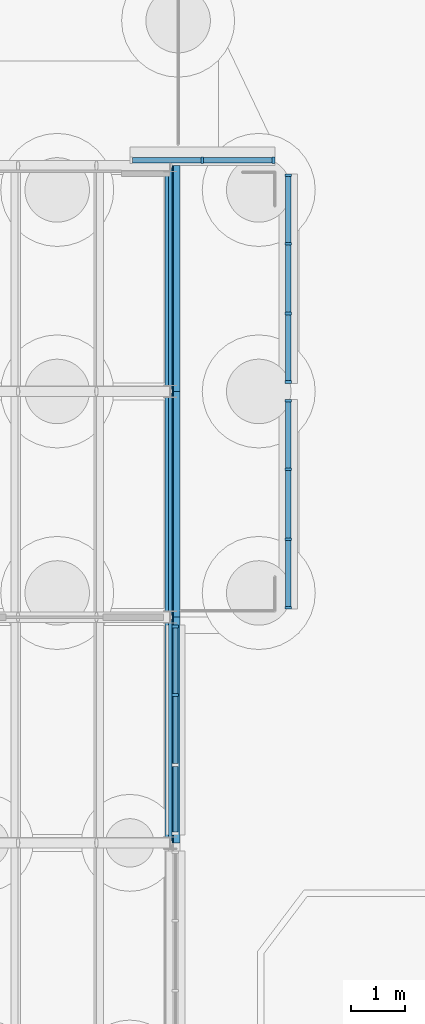
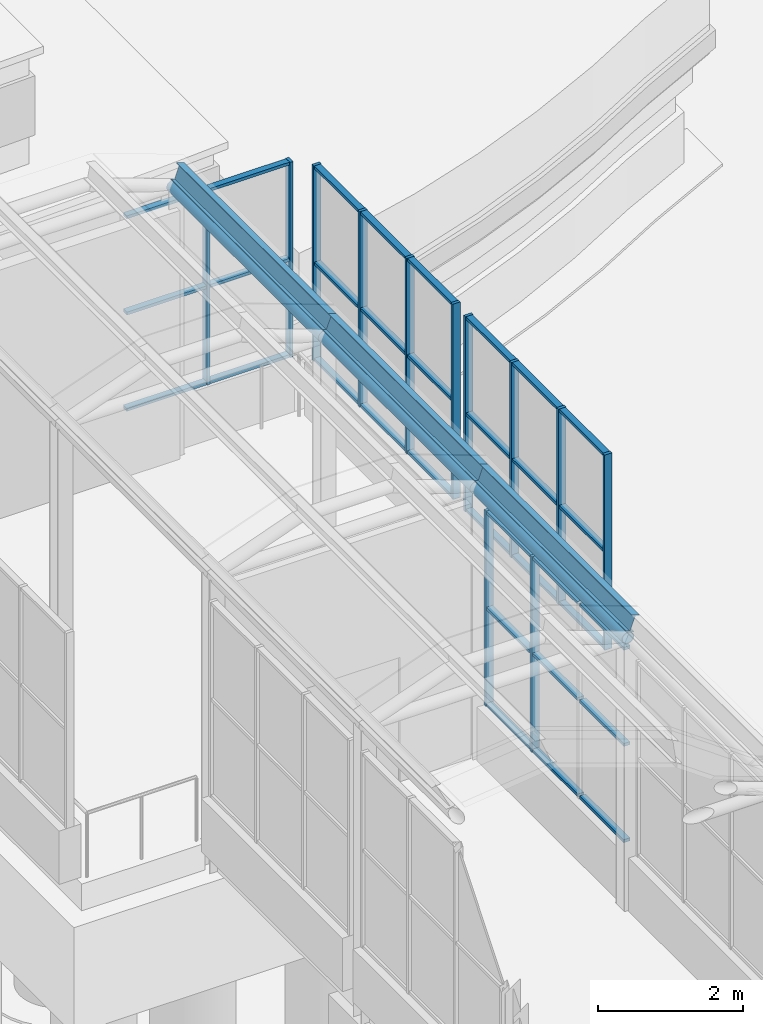
# One storey, part 73 of 222: 48 members, 3 beams, 4 elements without a shape of their own.
"""IFC4 building model written with IfcOpenShell, lengths in metres."""

import ifcopenshell
import ifcopenshell.guid

model = None  # the IFC model being written
_history = None  # IfcOwnerHistory: only IFC2X3 demands one
_inside = {}  # id of a spatial element -> (the spatial element, [elements in it])
_under = {}  # id of a project, library or spatial element -> (it, [spatial elements below it])
_declared = {}  # id of a project -> (the project, [libraries it declares])
_typed = {}  # id of a type object -> (the type object, [elements of that type])
_made_of = {}  # id of a material, layer set ... -> (it, [elements and type objects made of it])


def new_model(schema):
    """Start an empty IFC model of exactly this schema.

    Asked for "IFC4X3", IfcOpenShell would pick the latest addendum, in which some entities
    have other attributes; the version numbers below select the first issue.
    IFC2X3 requires an IfcOwnerHistory on every rooted entity: one is made here for all.
    """
    global model, _history
    if schema == "IFC4X3":
        model = ifcopenshell.file(schema_version=(4, 3, 0, 0))
    else:
        model = ifcopenshell.file(schema=schema)
    _inside.clear()
    _under.clear()
    _declared.clear()
    _typed.clear()
    _made_of.clear()
    _history = None
    if model.schema == "IFC2X3":
        org = make("IfcOrganization", Name="unknown")
        user = make(
            "IfcPersonAndOrganization",
            ThePerson=make("IfcPerson", FamilyName="unknown"),
            TheOrganization=org,
        )
        app = make(
            "IfcApplication",
            ApplicationDeveloper=org,
            Version="unknown",
            ApplicationFullName="unknown",
            ApplicationIdentifier="unknown",
        )
        _history = make(
            "IfcOwnerHistory",
            OwningUser=user,
            OwningApplication=app,
            ChangeAction="ADDED",
            CreationDate=0,
        )
    return model


def make(cls, **values):
    """One entity of the class cls with the attributes given. An attribute that is None is left unset."""
    return model.create_entity(
        cls, **{name: value for name, value in values.items() if value is not None}
    )


def rooted(cls, **values):
    """An entity with a GlobalId (a new one), such as an element, a storey or a relation."""
    return make(cls, GlobalId=ifcopenshell.guid.new(), OwnerHistory=_history, **values)


def si_unit(unit_type, name, prefix=None):
    """IfcSIUnit, for example si_unit("LENGTHUNIT", "METRE", prefix="MILLI")."""
    return make("IfcSIUnit", UnitType=unit_type, Prefix=prefix, Name=name)


def assignment(units):
    """IfcUnitAssignment: the units of a project."""
    return None if units is None else make("IfcUnitAssignment", Units=units)


def point(xyz):
    """IfcCartesianPoint."""
    return None if xyz is None else make("IfcCartesianPoint", Coordinates=xyz)


def direction(xyz):
    """IfcDirection."""
    return None if xyz is None else make("IfcDirection", DirectionRatios=xyz)


def frame(location, z_axis=None, x_axis=None):
    """IfcAxis2Placement3D, a coordinate frame: its origin and axes. An axis left out is left unset."""
    return make(
        "IfcAxis2Placement3D",
        Location=point(location),
        Axis=direction(z_axis),
        RefDirection=direction(x_axis),
    )


def frame_2d(location, x_axis=None):
    """IfcAxis2Placement2D, a coordinate frame in the plane: its origin and x axis."""
    return make(
        "IfcAxis2Placement2D", Location=point(location), RefDirection=direction(x_axis)
    )


def origin():
    """The frame at (0, 0, 0) with its axes left unset."""
    return frame((0.0, 0.0, 0.0))


def origin_2d():
    """The frame at (0, 0) in the plane with its x axis left unset."""
    return frame_2d((0.0, 0.0))


def place(relative_to, where):
    """IfcLocalPlacement: puts the frame where relative to a parent placement (None: the world)."""
    return make(
        "IfcLocalPlacement", PlacementRelTo=relative_to, RelativePlacement=where
    )


def context(
    kind, dimensions, precision=None, world=None, true_north=None, identifier=None
):
    """IfcGeometricRepresentationContext, for example the 3D "Model" context."""
    return make(
        "IfcGeometricRepresentationContext",
        ContextIdentifier=identifier,
        ContextType=kind,
        CoordinateSpaceDimension=dimensions,
        Precision=precision,
        WorldCoordinateSystem=world,
        TrueNorth=true_north,
    )


def subcontext(parent, identifier, kind, view, scale=None):
    """IfcGeometricRepresentationSubContext, for example "Body" below "Model"."""
    return make(
        "IfcGeometricRepresentationSubContext",
        ContextIdentifier=identifier,
        ContextType=kind,
        ParentContext=parent,
        TargetScale=scale,
        TargetView=view,
    )


def project(units=None, contexts=None):
    """IfcProject with its units and contexts."""
    return rooted(
        "IfcProject",
        Name="project",
        RepresentationContexts=contexts,
        UnitsInContext=assignment(units),
    )


def spatial(cls, under=None, at=None, **own):
    """A site, building, storey or space (cls), placed at a placement, below another one or the project."""
    s = rooted(cls, ObjectPlacement=at, **own)
    if under is not None:
        _under.setdefault(under.id(), (under, []))[1].append(s)
    return s


def profile(cls, at=None, kind="AREA", **sizes):
    """A parametric profile (cls). Its sizes go by their IFC names, for example OverallWidth=200.0."""
    return make(cls, ProfileType=kind, Position=at, **sizes)


def rectangle(**sizes):
    """IfcRectangleProfileDef."""
    return profile("IfcRectangleProfileDef", **sizes)


def hollow_circle(**sizes):
    """IfcCircleHollowProfileDef."""
    return profile("IfcCircleHollowProfileDef", **sizes)


def i_section(**sizes):
    """IfcIShapeProfileDef."""
    return profile("IfcIShapeProfileDef", **sizes)


def extrude(swept, where, along, depth):
    """IfcExtrudedAreaSolid: the profile swept, set in the frame where, extruded along a direction by depth."""
    return make(
        "IfcExtrudedAreaSolid",
        SweptArea=swept,
        Position=where,
        ExtrudedDirection=direction(along),
        Depth=depth,
    )


def shape(context_of_items, identifier, shape_type, items):
    """IfcShapeRepresentation: the items that make up one representation, for example the "Body"."""
    return make(
        "IfcShapeRepresentation",
        ContextOfItems=context_of_items,
        RepresentationIdentifier=identifier,
        RepresentationType=shape_type,
        Items=items,
    )


def material(Name=None, Category=None):
    """IfcMaterial."""
    return make("IfcMaterial", Name=Name, Category=Category)


def material_profile(
    of_material, cross_section, Name=None, Category=None, Priority=None
):
    """IfcMaterialProfile: a cross section and its material."""
    return make(
        "IfcMaterialProfile",
        Name=Name,
        Material=of_material,
        Profile=cross_section,
        Priority=Priority,
        Category=Category,
    )


def profile_set(profiles, Name=None, composite=None):
    """IfcMaterialProfileSet."""
    return make(
        "IfcMaterialProfileSet",
        Name=Name,
        MaterialProfiles=profiles,
        CompositeProfile=composite,
    )


def made_of(thing, what):
    """Note that an element or type object is made of a material, layer set ...; save() writes the relation."""
    if what is not None:
        _made_of.setdefault(what.id(), (what, []))[1].append(thing)
    return thing


def type_object(cls, material=None, **own):
    """A type object (cls), such as IfcWallType, which elements share."""
    return made_of(rooted(cls, **own), material)


def element(
    cls,
    number,
    at=None,
    inside=None,
    cuts=None,
    type_object=None,
    material=None,
    context=None,
    identifier="Body",
    shape_type=None,
    held_by="IfcProductDefinitionShape",
    body=None,
    shapes=None,
    **own,
):
    """One element of the class cls, such as IfcWall. Its Tag is "e" and its number.

    at: its placement. inside: the storey or other place that contains it. cuts: it is an
    opening in that element (IfcRelVoidsElement). A single representation is given by context,
    identifier, shape_type and body (its items); several are given by shapes. held_by: the class
    of the entity that holds the representations. save() writes the other relations.
    """
    e = rooted(cls, Tag="e%d" % number, ObjectPlacement=at, **own)
    if body is not None:
        shapes = [shape(context, identifier, shape_type, body)]
    if shapes is not None:
        e.Representation = make(held_by, Representations=shapes)
    if inside is not None:
        _inside.setdefault(inside.id(), (inside, []))[1].append(e)
    if cuts is not None:
        rooted(
            "IfcRelVoidsElement", RelatingBuildingElement=cuts, RelatedOpeningElement=e
        )
    if type_object is not None:
        _typed.setdefault(type_object.id(), (type_object, []))[1].append(e)
    return made_of(e, material)


def aggregate(whole, parts):
    """IfcRelAggregates: a whole, such as a stair, and the parts it consists of."""
    return rooted("IfcRelAggregates", RelatingObject=whole, RelatedObjects=parts)


def save(model, path):
    """Write the relations noted so far, then the file.

    IfcRelAggregates (storeys below a building ...), IfcRelContainedInSpatialStructure (elements
    in a storey), IfcRelDefinesByType, IfcRelAssociatesMaterial and IfcRelDeclares: one each for
    every whole, place, type object, material and project.
    """
    for whole, parts in _under.values():
        aggregate(whole, parts)
    for where, things in _inside.values():
        rooted(
            "IfcRelContainedInSpatialStructure",
            RelatedElements=things,
            RelatingStructure=where,
        )
    for kind, things in _typed.values():
        rooted("IfcRelDefinesByType", RelatedObjects=things, RelatingType=kind)
    for what, things in _made_of.values():
        rooted("IfcRelAssociatesMaterial", RelatedObjects=things, RelatingMaterial=what)
    for by, libraries in _declared.values():
        rooted("IfcRelDeclares", RelatingContext=by, RelatedDefinitions=libraries)
    model.write(path)


model = new_model("IFC4")

# Units and contexts
model_context = context("Model", 3, precision=1e-05, world=origin(), true_north=direction((0.0, 1.0)))
body_context = subcontext(model_context, "Body", "Model", "MODEL_VIEW")
ifc_project = project(units=[si_unit("LENGTHUNIT", "METRE"), si_unit("AREAUNIT", "SQUARE_METRE"), si_unit("VOLUMEUNIT", "CUBIC_METRE"), si_unit("PLANEANGLEUNIT", "RADIAN"), si_unit("MASSUNIT", "GRAM", prefix="KILO")], contexts=[model_context])

# Site, building, storey
site_placement = place(None, origin())
site = spatial("IfcSite", under=ifc_project, at=site_placement, CompositionType="ELEMENT")
building_placement = place(site_placement, origin())
building = spatial("IfcBuilding", under=site, at=building_placement, Name="Sava Quay Ferry Terminal", CompositionType="ELEMENT")
storey_placement = place(building_placement, origin())
storey = spatial("IfcBuildingStorey", under=building, at=storey_placement, Name="L00", CompositionType="ELEMENT", Elevation=0.0)

# Beams
ifc_material_1 = material(Name="Steel S355", Category="steel")
ifc_material_profile_1 = material_profile(ifc_material_1, hollow_circle(Radius=0.096923828125, WallThickness=0.008056640625, at=origin_2d()), Name="CHS 193.7 x 8.0")
ifc_profile_set_1 = profile_set([ifc_material_profile_1], Name="Steel S355")
beam_type = type_object("IfcBeamType", Name="Gallery eave beam CHS 193.7x8", PredefinedType="BEAM", material=ifc_profile_set_1)
beam_1_placement = place(storey_placement, frame((79.800048828125, 130.199951171875, 4.5), z_axis=(0.0, 1.0, 0.0), x_axis=(-1.0, 0.0, 0.0)))
element("IfcBeam", 1, at=beam_1_placement, inside=storey, type_object=beam_type, Name="Boarding gallery B2 eave beam R6", PredefinedType="BEAM", context=body_context, shape_type="SweptSolid", body=[
    extrude(hollow_circle(Radius=0.096923828125, WallThickness=0.008056640625, at=origin_2d()), origin(), (0.0, 0.0, 1.0), 4.199951171875),
])
beam_2_placement = place(storey_placement, frame((79.800048828125, 134.39990234375, 4.5), z_axis=(0.0, 1.0, 0.0), x_axis=(-1.0, 0.0, 0.0)))
element("IfcBeam", 2, at=beam_2_placement, inside=storey, type_object=beam_type, Name="Boarding gallery B2 eave beam R7", PredefinedType="BEAM", context=body_context, shape_type="SweptSolid", body=[
    extrude(hollow_circle(Radius=0.096923828125, WallThickness=0.008056640625, at=origin_2d()), origin(), (0.0, 0.0, 1.0), 4.2001953125),
])
beam_3_placement = place(storey_placement, frame((79.800048828125, 138.60009765625, 4.5), z_axis=(0.0, 1.0, 0.0), x_axis=(-1.0, 0.0, 0.0)))
element("IfcBeam", 3, at=beam_3_placement, inside=storey, type_object=beam_type, Name="Boarding gallery B2 eave beam R8", PredefinedType="BEAM", context=body_context, shape_type="SweptSolid", body=[
    extrude(hollow_circle(Radius=0.096923828125, WallThickness=0.008056640625, at=origin_2d()), origin(), (0.0, 0.0, 1.0), 4.199951171875),
])

# Members
ifc_material_2 = material(Name="Steel S355", Category="steel")
ifc_material_profile_2 = material_profile(ifc_material_2, i_section(OverallWidth=0.135009765625, OverallDepth=0.27001953125, WebThickness=0.006591796875, FlangeThickness=0.01025390625, at=origin_2d()), Name="IPE 270")
ifc_profile_set_2 = profile_set([ifc_material_profile_2], Name="Steel S355")
member_type_1 = type_object("IfcMemberType", Name="Gallery purlin IPE 270", PredefinedType="PURLIN", material=ifc_profile_set_2)
member_1_placement = place(storey_placement, frame((79.87939453125, 130.199951171875, 4.718017578125), z_axis=(0.0, 1.0, 0.0), x_axis=(-0.939692620786, 0.0, 0.342020143326)))
element("IfcMember", 4, at=member_1_placement, inside=storey, type_object=member_type_1, Name="Boarding gallery B2 edge purlin bay 6 V3", PredefinedType="PURLIN", context=body_context, shape_type="SweptSolid", body=[
    extrude(i_section(OverallWidth=0.135009765625, OverallDepth=0.27001953125, WebThickness=0.006591796875, FlangeThickness=0.01025390625, at=origin_2d()), origin(), (0.0, 0.0, 1.0), 4.199951171875),
])
member_2_placement = place(storey_placement, frame((79.87939453125, 134.39990234375, 4.718017578125), z_axis=(0.0, 1.0, 0.0), x_axis=(-0.939692620786, 0.0, 0.342020143326)))
element("IfcMember", 5, at=member_2_placement, inside=storey, type_object=member_type_1, Name="Boarding gallery B2 edge purlin bay 7 V3", PredefinedType="PURLIN", context=body_context, shape_type="SweptSolid", body=[
    extrude(i_section(OverallWidth=0.135009765625, OverallDepth=0.27001953125, WebThickness=0.006591796875, FlangeThickness=0.01025390625, at=origin_2d()), origin(), (0.0, 0.0, 1.0), 4.2001953125),
])
member_3_placement = place(storey_placement, frame((79.87939453125, 138.60009765625, 4.718017578125), z_axis=(0.0, 1.0, 0.0), x_axis=(-0.939692620786, 0.0, 0.342020143326)))
element("IfcMember", 6, at=member_3_placement, inside=storey, type_object=member_type_1, Name="Boarding gallery B2 edge purlin bay 8 V3", PredefinedType="PURLIN", context=body_context, shape_type="SweptSolid", body=[
    extrude(i_section(OverallWidth=0.135009765625, OverallDepth=0.27001953125, WebThickness=0.006591796875, FlangeThickness=0.01025390625, at=origin_2d()), origin(), (0.0, 0.0, 1.0), 4.199951171875),
])

# Curtain wall, members
ifc_material_3 = material(Name="Aluminium and glass curtain wall, double glazed", Category="aluminium")
curtain_wall_type = type_object("IfcCurtainWallType", Name="Curtain wall CW-B gallery", PredefinedType="NOTDEFINED", material=ifc_material_3)
curtain_wall_1_placement = place(storey_placement, origin())
curtain_wall_1 = element("IfcCurtainWall", 7, at=curtain_wall_1_placement, inside=storey, type_object=curtain_wall_type, Name="Curtain wall B2-E L00 bay 6", PredefinedType="NOTDEFINED")
ifc_material_4 = material(Name="Aluminium EN AW-6063 T6", Category="aluminium")
ifc_material_profile_3 = material_profile(ifc_material_4, rectangle(XDim=0.1201171875, YDim=0.050048828125, at=origin_2d()), Name="Mullion 50x120 aluminium")
ifc_profile_set_3 = profile_set([ifc_material_profile_3], Name="Aluminium EN AW-6063 T6")
member_type_2 = type_object("IfcMemberType", Name="Mullion 50x120 aluminium", PredefinedType="MULLION", material=ifc_profile_set_3)
member_4_placement = place(storey_placement, frame((79.89990234375, 132.949951171875, 0.89990234375), z_axis=(0.0, 0.0, 1.0), x_axis=(-1.0, 0.0, 0.0)))
member_4 = element("IfcMember", 8, at=member_4_placement, type_object=member_type_2, Name="CW24 mullion 3", PredefinedType="MULLION", context=body_context, shape_type="SweptSolid", body=[
    extrude(rectangle(XDim=0.1201171875, YDim=0.050048828125, at=origin_2d()), origin(), (0.0, 0.0, 1.0), 3.300048828125),
])
member_5_placement = place(storey_placement, frame((79.89990234375, 134.22509765625, 0.89990234375), z_axis=(0.0, 0.0, 1.0), x_axis=(-1.0, 0.0, 0.0)))
member_5 = element("IfcMember", 9, at=member_5_placement, type_object=member_type_2, Name="CW24 mullion 4", PredefinedType="MULLION", context=body_context, shape_type="SweptSolid", body=[
    extrude(rectangle(XDim=0.1201171875, YDim=0.050048828125, at=origin_2d()), origin(), (0.0, 0.0, 1.0), 3.300048828125),
])

curtain_wall_2_placement = place(storey_placement, origin())
curtain_wall_2 = element("IfcCurtainWall", 10, at=curtain_wall_2_placement, inside=storey, type_object=curtain_wall_type, Name="Curtain wall B2-HE L00 bay 1", PredefinedType="NOTDEFINED")
member_6_placement = place(storey_placement, frame((82.0, 134.574951171875, 0.89990234375), z_axis=(0.0, 0.0, 1.0), x_axis=(-1.0, 0.0, 0.0)))
member_6 = element("IfcMember", 11, at=member_6_placement, type_object=member_type_2, Name="CW25 mullion 1", PredefinedType="MULLION", context=body_context, shape_type="SweptSolid", body=[
    extrude(rectangle(XDim=0.1201171875, YDim=0.050048828125, at=origin_2d()), origin(), (0.0, 0.0, 1.0), 3.300048828125),
])
member_7_placement = place(storey_placement, frame((82.0, 135.85009765625, 0.89990234375), z_axis=(0.0, 0.0, 1.0), x_axis=(-1.0, 0.0, 0.0)))
member_7 = element("IfcMember", 12, at=member_7_placement, type_object=member_type_2, Name="CW25 mullion 2", PredefinedType="MULLION", context=body_context, shape_type="SweptSolid", body=[
    extrude(rectangle(XDim=0.1201171875, YDim=0.050048828125, at=origin_2d()), origin(), (0.0, 0.0, 1.0), 3.300048828125),
])
member_8_placement = place(storey_placement, frame((82.0, 137.14990234375, 0.89990234375), z_axis=(0.0, 0.0, 1.0), x_axis=(-1.0, 0.0, 0.0)))
member_8 = element("IfcMember", 13, at=member_8_placement, type_object=member_type_2, Name="CW25 mullion 3", PredefinedType="MULLION", context=body_context, shape_type="SweptSolid", body=[
    extrude(rectangle(XDim=0.1201171875, YDim=0.050048828125, at=origin_2d()), origin(), (0.0, 0.0, 1.0), 3.300048828125),
])
member_9_placement = place(storey_placement, frame((82.0, 138.425048828125, 0.89990234375), z_axis=(0.0, 0.0, 1.0), x_axis=(-1.0, 0.0, 0.0)))
member_9 = element("IfcMember", 14, at=member_9_placement, type_object=member_type_2, Name="CW25 mullion 4", PredefinedType="MULLION", context=body_context, shape_type="SweptSolid", body=[
    extrude(rectangle(XDim=0.1201171875, YDim=0.050048828125, at=origin_2d()), origin(), (0.0, 0.0, 1.0), 3.300048828125),
])

curtain_wall_3_placement = place(storey_placement, origin())
curtain_wall_3 = element("IfcCurtainWall", 15, at=curtain_wall_3_placement, inside=storey, type_object=curtain_wall_type, Name="Curtain wall B2-HE L00 bay 2", PredefinedType="NOTDEFINED")
member_10_placement = place(storey_placement, frame((82.0, 138.77490234375, 0.89990234375), z_axis=(0.0, 0.0, 1.0), x_axis=(-1.0, 0.0, 0.0)))
member_10 = element("IfcMember", 16, at=member_10_placement, type_object=member_type_2, Name="CW26 mullion 1", PredefinedType="MULLION", context=body_context, shape_type="SweptSolid", body=[
    extrude(rectangle(XDim=0.1201171875, YDim=0.050048828125, at=origin_2d()), origin(), (0.0, 0.0, 1.0), 3.300048828125),
])
member_11_placement = place(storey_placement, frame((82.0, 140.050048828125, 0.89990234375), z_axis=(0.0, 0.0, 1.0), x_axis=(-1.0, 0.0, 0.0)))
member_11 = element("IfcMember", 17, at=member_11_placement, type_object=member_type_2, Name="CW26 mullion 2", PredefinedType="MULLION", context=body_context, shape_type="SweptSolid", body=[
    extrude(rectangle(XDim=0.1201171875, YDim=0.050048828125, at=origin_2d()), origin(), (0.0, 0.0, 1.0), 3.300048828125),
])
member_12_placement = place(storey_placement, frame((82.0, 141.35009765625, 0.89990234375), z_axis=(0.0, 0.0, 1.0), x_axis=(-1.0, 0.0, 0.0)))
member_12 = element("IfcMember", 18, at=member_12_placement, type_object=member_type_2, Name="CW26 mullion 3", PredefinedType="MULLION", context=body_context, shape_type="SweptSolid", body=[
    extrude(rectangle(XDim=0.1201171875, YDim=0.050048828125, at=origin_2d()), origin(), (0.0, 0.0, 1.0), 3.300048828125),
])
member_13_placement = place(storey_placement, frame((82.0, 142.625, 0.89990234375), z_axis=(0.0, 0.0, 1.0), x_axis=(-1.0, 0.0, 0.0)))
member_13 = element("IfcMember", 19, at=member_13_placement, type_object=member_type_2, Name="CW26 mullion 4", PredefinedType="MULLION", context=body_context, shape_type="SweptSolid", body=[
    extrude(rectangle(XDim=0.1201171875, YDim=0.050048828125, at=origin_2d()), origin(), (0.0, 0.0, 1.0), 3.300048828125),
])

curtain_wall_4_placement = place(storey_placement, origin())
curtain_wall_4 = element("IfcCurtainWall", 20, at=curtain_wall_4_placement, inside=storey, type_object=curtain_wall_type, Name="Curtain wall B2-HN L00 bay 2", PredefinedType="NOTDEFINED")
member_14_placement = place(storey_placement, frame((80.39990234375, 142.89990234375, 0.89990234375), z_axis=(0.0, 0.0, 1.0), x_axis=(0.0, 1.0, 0.0)))
member_14 = element("IfcMember", 21, at=member_14_placement, type_object=member_type_2, Name="CW28 mullion 2", PredefinedType="MULLION", context=body_context, shape_type="SweptSolid", body=[
    extrude(rectangle(XDim=0.1201171875, YDim=0.050048828125, at=origin_2d()), origin(), (0.0, 0.0, 1.0), 3.300048828125),
])
member_15_placement = place(storey_placement, frame((81.72509765625, 142.89990234375, 0.89990234375), z_axis=(0.0, 0.0, 1.0), x_axis=(0.0, 1.0, 0.0)))
member_15 = element("IfcMember", 22, at=member_15_placement, type_object=member_type_2, Name="CW28 mullion 3", PredefinedType="MULLION", context=body_context, shape_type="SweptSolid", body=[
    extrude(rectangle(XDim=0.1201171875, YDim=0.050048828125, at=origin_2d()), origin(), (0.0, 0.0, 1.0), 3.300048828125),
])

# Member
ifc_material_5 = material(Name="Aluminium EN AW-6063 T6", Category="aluminium")
ifc_material_profile_4 = material_profile(ifc_material_5, rectangle(XDim=0.10009765625, YDim=0.050048828125, at=origin_2d()), Name="Transom 50x100 aluminium")
ifc_profile_set_4 = profile_set([ifc_material_profile_4], Name="Aluminium EN AW-6063 T6")
member_type_3 = type_object("IfcMemberType", Name="Transom 50x100 aluminium", PredefinedType="USERDEFINED", material=ifc_profile_set_4)
member_16_placement = place(storey_placement, frame((79.89990234375, 130.39990234375, 0.925048828125), z_axis=(0.0, 1.0, 0.0), x_axis=(-1.0, 0.0, 0.0)))
member_16 = element("IfcMember", 23, at=member_16_placement, type_object=member_type_3, Name="CW24 transom 1.1", ObjectType="TRANSOM", PredefinedType="USERDEFINED", context=body_context, shape_type="SweptSolid", body=[
    extrude(rectangle(XDim=0.10009765625, YDim=0.050048828125, at=origin_2d()), origin(), (0.0, 0.0, 1.0), 1.22509765625),
])

member_17_placement = place(storey_placement, frame((79.89990234375, 130.39990234375, 2.550048828125), z_axis=(0.0, 1.0, 0.0), x_axis=(-1.0, 0.0, 0.0)))
member_17 = element("IfcMember", 24, at=member_17_placement, type_object=member_type_3, Name="CW24 transom 1.2", ObjectType="TRANSOM", PredefinedType="USERDEFINED", context=body_context, shape_type="SweptSolid", body=[
    extrude(rectangle(XDim=0.10009765625, YDim=0.050048828125, at=origin_2d()), origin(), (0.0, 0.0, 1.0), 1.22509765625),
])

member_18_placement = place(storey_placement, frame((79.89990234375, 130.39990234375, 4.175048828125), z_axis=(0.0, 1.0, 0.0), x_axis=(-1.0, 0.0, 0.0)))
member_18 = element("IfcMember", 25, at=member_18_placement, type_object=member_type_3, Name="CW24 transom 1.3", ObjectType="TRANSOM", PredefinedType="USERDEFINED", context=body_context, shape_type="SweptSolid", body=[
    extrude(rectangle(XDim=0.10009765625, YDim=0.050048828125, at=origin_2d()), origin(), (0.0, 0.0, 1.0), 1.22509765625),
])

member_19_placement = place(storey_placement, frame((79.89990234375, 131.675048828125, 0.925048828125), z_axis=(0.0, 1.0, 0.0), x_axis=(-1.0, 0.0, 0.0)))
member_19 = element("IfcMember", 26, at=member_19_placement, type_object=member_type_3, Name="CW24 transom 2.1", ObjectType="TRANSOM", PredefinedType="USERDEFINED", context=body_context, shape_type="SweptSolid", body=[
    extrude(rectangle(XDim=0.10009765625, YDim=0.050048828125, at=origin_2d()), origin(), (0.0, 0.0, 1.0), 1.25),
])

member_20_placement = place(storey_placement, frame((79.89990234375, 131.675048828125, 2.550048828125), z_axis=(0.0, 1.0, 0.0), x_axis=(-1.0, 0.0, 0.0)))
member_20 = element("IfcMember", 27, at=member_20_placement, type_object=member_type_3, Name="CW24 transom 2.2", ObjectType="TRANSOM", PredefinedType="USERDEFINED", context=body_context, shape_type="SweptSolid", body=[
    extrude(rectangle(XDim=0.10009765625, YDim=0.050048828125, at=origin_2d()), origin(), (0.0, 0.0, 1.0), 1.25),
])

member_21_placement = place(storey_placement, frame((79.89990234375, 131.675048828125, 4.175048828125), z_axis=(0.0, 1.0, 0.0), x_axis=(-1.0, 0.0, 0.0)))
member_21 = element("IfcMember", 28, at=member_21_placement, type_object=member_type_3, Name="CW24 transom 2.3", ObjectType="TRANSOM", PredefinedType="USERDEFINED", context=body_context, shape_type="SweptSolid", body=[
    extrude(rectangle(XDim=0.10009765625, YDim=0.050048828125, at=origin_2d()), origin(), (0.0, 0.0, 1.0), 1.25),
])

member_22_placement = place(storey_placement, frame((79.89990234375, 132.97509765625, 0.925048828125), z_axis=(0.0, 1.0, 0.0), x_axis=(-1.0, 0.0, 0.0)))
member_22 = element("IfcMember", 29, at=member_22_placement, type_object=member_type_3, Name="CW24 transom 3.1", ObjectType="TRANSOM", PredefinedType="USERDEFINED", context=body_context, shape_type="SweptSolid", body=[
    extrude(rectangle(XDim=0.10009765625, YDim=0.050048828125, at=origin_2d()), origin(), (0.0, 0.0, 1.0), 1.224853515625),
])

member_23_placement = place(storey_placement, frame((79.89990234375, 132.97509765625, 2.550048828125), z_axis=(0.0, 1.0, 0.0), x_axis=(-1.0, 0.0, 0.0)))
member_23 = element("IfcMember", 30, at=member_23_placement, type_object=member_type_3, Name="CW24 transom 3.2", ObjectType="TRANSOM", PredefinedType="USERDEFINED", context=body_context, shape_type="SweptSolid", body=[
    extrude(rectangle(XDim=0.10009765625, YDim=0.050048828125, at=origin_2d()), origin(), (0.0, 0.0, 1.0), 1.224853515625),
])

member_24_placement = place(storey_placement, frame((79.89990234375, 132.97509765625, 4.175048828125), z_axis=(0.0, 1.0, 0.0), x_axis=(-1.0, 0.0, 0.0)))
member_24 = element("IfcMember", 31, at=member_24_placement, type_object=member_type_3, Name="CW24 transom 3.3", ObjectType="TRANSOM", PredefinedType="USERDEFINED", context=body_context, shape_type="SweptSolid", body=[
    extrude(rectangle(XDim=0.10009765625, YDim=0.050048828125, at=origin_2d()), origin(), (0.0, 0.0, 1.0), 1.224853515625),
])

aggregate(curtain_wall_1, [member_4, member_5, member_16, member_17, member_18, member_19, member_20, member_21, member_22, member_23, member_24])

member_25_placement = place(storey_placement, frame((82.0, 134.60009765625, 0.925048828125), z_axis=(0.0, 1.0, 0.0), x_axis=(-1.0, 0.0, 0.0)))
member_25 = element("IfcMember", 32, at=member_25_placement, type_object=member_type_3, Name="CW25 transom 1.1", ObjectType="TRANSOM", PredefinedType="USERDEFINED", context=body_context, shape_type="SweptSolid", body=[
    extrude(rectangle(XDim=0.10009765625, YDim=0.050048828125, at=origin_2d()), origin(), (0.0, 0.0, 1.0), 1.224853515625),
])

member_26_placement = place(storey_placement, frame((82.0, 134.60009765625, 2.550048828125), z_axis=(0.0, 1.0, 0.0), x_axis=(-1.0, 0.0, 0.0)))
member_26 = element("IfcMember", 33, at=member_26_placement, type_object=member_type_3, Name="CW25 transom 1.2", ObjectType="TRANSOM", PredefinedType="USERDEFINED", context=body_context, shape_type="SweptSolid", body=[
    extrude(rectangle(XDim=0.10009765625, YDim=0.050048828125, at=origin_2d()), origin(), (0.0, 0.0, 1.0), 1.224853515625),
])

member_27_placement = place(storey_placement, frame((82.0, 134.60009765625, 4.175048828125), z_axis=(0.0, 1.0, 0.0), x_axis=(-1.0, 0.0, 0.0)))
member_27 = element("IfcMember", 34, at=member_27_placement, type_object=member_type_3, Name="CW25 transom 1.3", ObjectType="TRANSOM", PredefinedType="USERDEFINED", context=body_context, shape_type="SweptSolid", body=[
    extrude(rectangle(XDim=0.10009765625, YDim=0.050048828125, at=origin_2d()), origin(), (0.0, 0.0, 1.0), 1.224853515625),
])

member_28_placement = place(storey_placement, frame((82.0, 135.875, 0.925048828125), z_axis=(0.0, 1.0, 0.0), x_axis=(-1.0, 0.0, 0.0)))
member_28 = element("IfcMember", 35, at=member_28_placement, type_object=member_type_3, Name="CW25 transom 2.1", ObjectType="TRANSOM", PredefinedType="USERDEFINED", context=body_context, shape_type="SweptSolid", body=[
    extrude(rectangle(XDim=0.10009765625, YDim=0.050048828125, at=origin_2d()), origin(), (0.0, 0.0, 1.0), 1.25),
])

member_29_placement = place(storey_placement, frame((82.0, 135.875, 2.550048828125), z_axis=(0.0, 1.0, 0.0), x_axis=(-1.0, 0.0, 0.0)))
member_29 = element("IfcMember", 36, at=member_29_placement, type_object=member_type_3, Name="CW25 transom 2.2", ObjectType="TRANSOM", PredefinedType="USERDEFINED", context=body_context, shape_type="SweptSolid", body=[
    extrude(rectangle(XDim=0.10009765625, YDim=0.050048828125, at=origin_2d()), origin(), (0.0, 0.0, 1.0), 1.25),
])

member_30_placement = place(storey_placement, frame((82.0, 135.875, 4.175048828125), z_axis=(0.0, 1.0, 0.0), x_axis=(-1.0, 0.0, 0.0)))
member_30 = element("IfcMember", 37, at=member_30_placement, type_object=member_type_3, Name="CW25 transom 2.3", ObjectType="TRANSOM", PredefinedType="USERDEFINED", context=body_context, shape_type="SweptSolid", body=[
    extrude(rectangle(XDim=0.10009765625, YDim=0.050048828125, at=origin_2d()), origin(), (0.0, 0.0, 1.0), 1.25),
])

member_31_placement = place(storey_placement, frame((82.0, 137.175048828125, 0.925048828125), z_axis=(0.0, 1.0, 0.0), x_axis=(-1.0, 0.0, 0.0)))
member_31 = element("IfcMember", 38, at=member_31_placement, type_object=member_type_3, Name="CW25 transom 3.1", ObjectType="TRANSOM", PredefinedType="USERDEFINED", context=body_context, shape_type="SweptSolid", body=[
    extrude(rectangle(XDim=0.10009765625, YDim=0.050048828125, at=origin_2d()), origin(), (0.0, 0.0, 1.0), 1.224853515625),
])

member_32_placement = place(storey_placement, frame((82.0, 137.175048828125, 2.550048828125), z_axis=(0.0, 1.0, 0.0), x_axis=(-1.0, 0.0, 0.0)))
member_32 = element("IfcMember", 39, at=member_32_placement, type_object=member_type_3, Name="CW25 transom 3.2", ObjectType="TRANSOM", PredefinedType="USERDEFINED", context=body_context, shape_type="SweptSolid", body=[
    extrude(rectangle(XDim=0.10009765625, YDim=0.050048828125, at=origin_2d()), origin(), (0.0, 0.0, 1.0), 1.224853515625),
])

member_33_placement = place(storey_placement, frame((82.0, 137.175048828125, 4.175048828125), z_axis=(0.0, 1.0, 0.0), x_axis=(-1.0, 0.0, 0.0)))
member_33 = element("IfcMember", 40, at=member_33_placement, type_object=member_type_3, Name="CW25 transom 3.3", ObjectType="TRANSOM", PredefinedType="USERDEFINED", context=body_context, shape_type="SweptSolid", body=[
    extrude(rectangle(XDim=0.10009765625, YDim=0.050048828125, at=origin_2d()), origin(), (0.0, 0.0, 1.0), 1.224853515625),
])

aggregate(curtain_wall_2, [member_6, member_7, member_8, member_9, member_25, member_26, member_27, member_28, member_29, member_30, member_31, member_32, member_33])

member_34_placement = place(storey_placement, frame((82.0, 138.800048828125, 0.925048828125), z_axis=(0.0, 1.0, 0.0), x_axis=(-1.0, 0.0, 0.0)))
member_34 = element("IfcMember", 41, at=member_34_placement, type_object=member_type_3, Name="CW26 transom 1.1", ObjectType="TRANSOM", PredefinedType="USERDEFINED", context=body_context, shape_type="SweptSolid", body=[
    extrude(rectangle(XDim=0.10009765625, YDim=0.050048828125, at=origin_2d()), origin(), (0.0, 0.0, 1.0), 1.224853515625),
])

member_35_placement = place(storey_placement, frame((82.0, 138.800048828125, 2.550048828125), z_axis=(0.0, 1.0, 0.0), x_axis=(-1.0, 0.0, 0.0)))
member_35 = element("IfcMember", 42, at=member_35_placement, type_object=member_type_3, Name="CW26 transom 1.2", ObjectType="TRANSOM", PredefinedType="USERDEFINED", context=body_context, shape_type="SweptSolid", body=[
    extrude(rectangle(XDim=0.10009765625, YDim=0.050048828125, at=origin_2d()), origin(), (0.0, 0.0, 1.0), 1.224853515625),
])

member_36_placement = place(storey_placement, frame((82.0, 138.800048828125, 4.175048828125), z_axis=(0.0, 1.0, 0.0), x_axis=(-1.0, 0.0, 0.0)))
member_36 = element("IfcMember", 43, at=member_36_placement, type_object=member_type_3, Name="CW26 transom 1.3", ObjectType="TRANSOM", PredefinedType="USERDEFINED", context=body_context, shape_type="SweptSolid", body=[
    extrude(rectangle(XDim=0.10009765625, YDim=0.050048828125, at=origin_2d()), origin(), (0.0, 0.0, 1.0), 1.224853515625),
])

member_37_placement = place(storey_placement, frame((82.0, 140.074951171875, 0.925048828125), z_axis=(0.0, 1.0, 0.0), x_axis=(-1.0, 0.0, 0.0)))
member_37 = element("IfcMember", 44, at=member_37_placement, type_object=member_type_3, Name="CW26 transom 2.1", ObjectType="TRANSOM", PredefinedType="USERDEFINED", context=body_context, shape_type="SweptSolid", body=[
    extrude(rectangle(XDim=0.10009765625, YDim=0.050048828125, at=origin_2d()), origin(), (0.0, 0.0, 1.0), 1.25),
])

member_38_placement = place(storey_placement, frame((82.0, 140.074951171875, 2.550048828125), z_axis=(0.0, 1.0, 0.0), x_axis=(-1.0, 0.0, 0.0)))
member_38 = element("IfcMember", 45, at=member_38_placement, type_object=member_type_3, Name="CW26 transom 2.2", ObjectType="TRANSOM", PredefinedType="USERDEFINED", context=body_context, shape_type="SweptSolid", body=[
    extrude(rectangle(XDim=0.10009765625, YDim=0.050048828125, at=origin_2d()), origin(), (0.0, 0.0, 1.0), 1.25),
])

member_39_placement = place(storey_placement, frame((82.0, 140.074951171875, 4.175048828125), z_axis=(0.0, 1.0, 0.0), x_axis=(-1.0, 0.0, 0.0)))
member_39 = element("IfcMember", 46, at=member_39_placement, type_object=member_type_3, Name="CW26 transom 2.3", ObjectType="TRANSOM", PredefinedType="USERDEFINED", context=body_context, shape_type="SweptSolid", body=[
    extrude(rectangle(XDim=0.10009765625, YDim=0.050048828125, at=origin_2d()), origin(), (0.0, 0.0, 1.0), 1.25),
])

member_40_placement = place(storey_placement, frame((82.0, 141.375, 0.925048828125), z_axis=(0.0, 1.0, 0.0), x_axis=(-1.0, 0.0, 0.0)))
member_40 = element("IfcMember", 47, at=member_40_placement, type_object=member_type_3, Name="CW26 transom 3.1", ObjectType="TRANSOM", PredefinedType="USERDEFINED", context=body_context, shape_type="SweptSolid", body=[
    extrude(rectangle(XDim=0.10009765625, YDim=0.050048828125, at=origin_2d()), origin(), (0.0, 0.0, 1.0), 1.22509765625),
])

member_41_placement = place(storey_placement, frame((82.0, 141.375, 2.550048828125), z_axis=(0.0, 1.0, 0.0), x_axis=(-1.0, 0.0, 0.0)))
member_41 = element("IfcMember", 48, at=member_41_placement, type_object=member_type_3, Name="CW26 transom 3.2", ObjectType="TRANSOM", PredefinedType="USERDEFINED", context=body_context, shape_type="SweptSolid", body=[
    extrude(rectangle(XDim=0.10009765625, YDim=0.050048828125, at=origin_2d()), origin(), (0.0, 0.0, 1.0), 1.22509765625),
])

member_42_placement = place(storey_placement, frame((82.0, 141.375, 4.175048828125), z_axis=(0.0, 1.0, 0.0), x_axis=(-1.0, 0.0, 0.0)))
member_42 = element("IfcMember", 49, at=member_42_placement, type_object=member_type_3, Name="CW26 transom 3.3", ObjectType="TRANSOM", PredefinedType="USERDEFINED", context=body_context, shape_type="SweptSolid", body=[
    extrude(rectangle(XDim=0.10009765625, YDim=0.050048828125, at=origin_2d()), origin(), (0.0, 0.0, 1.0), 1.22509765625),
])

aggregate(curtain_wall_3, [member_10, member_11, member_12, member_13, member_34, member_35, member_36, member_37, member_38, member_39, member_40, member_41, member_42])

member_43_placement = place(storey_placement, frame((79.10009765625, 142.89990234375, 0.925048828125), z_axis=(1.0, 0.0, 0.0), x_axis=(0.0, 1.0, 0.0)))
member_43 = element("IfcMember", 50, at=member_43_placement, type_object=member_type_3, Name="CW28 transom 1.1", ObjectType="TRANSOM", PredefinedType="USERDEFINED", context=body_context, shape_type="SweptSolid", body=[
    extrude(rectangle(XDim=0.10009765625, YDim=0.050048828125, at=origin_2d()), origin(), (0.0, 0.0, 1.0), 1.27490234375),
])

member_44_placement = place(storey_placement, frame((79.10009765625, 142.89990234375, 2.550048828125), z_axis=(1.0, 0.0, 0.0), x_axis=(0.0, 1.0, 0.0)))
member_44 = element("IfcMember", 51, at=member_44_placement, type_object=member_type_3, Name="CW28 transom 1.2", ObjectType="TRANSOM", PredefinedType="USERDEFINED", context=body_context, shape_type="SweptSolid", body=[
    extrude(rectangle(XDim=0.10009765625, YDim=0.050048828125, at=origin_2d()), origin(), (0.0, 0.0, 1.0), 1.27490234375),
])

member_45_placement = place(storey_placement, frame((79.10009765625, 142.89990234375, 4.175048828125), z_axis=(1.0, 0.0, 0.0), x_axis=(0.0, 1.0, 0.0)))
member_45 = element("IfcMember", 52, at=member_45_placement, type_object=member_type_3, Name="CW28 transom 1.3", ObjectType="TRANSOM", PredefinedType="USERDEFINED", context=body_context, shape_type="SweptSolid", body=[
    extrude(rectangle(XDim=0.10009765625, YDim=0.050048828125, at=origin_2d()), origin(), (0.0, 0.0, 1.0), 1.27490234375),
])

member_46_placement = place(storey_placement, frame((80.425048828125, 142.89990234375, 0.925048828125), z_axis=(1.0, 0.0, 0.0), x_axis=(0.0, 1.0, 0.0)))
member_46 = element("IfcMember", 53, at=member_46_placement, type_object=member_type_3, Name="CW28 transom 2.1", ObjectType="TRANSOM", PredefinedType="USERDEFINED", context=body_context, shape_type="SweptSolid", body=[
    extrude(rectangle(XDim=0.10009765625, YDim=0.050048828125, at=origin_2d()), origin(), (0.0, 0.0, 1.0), 1.27490234375),
])

member_47_placement = place(storey_placement, frame((80.425048828125, 142.89990234375, 2.550048828125), z_axis=(1.0, 0.0, 0.0), x_axis=(0.0, 1.0, 0.0)))
member_47 = element("IfcMember", 54, at=member_47_placement, type_object=member_type_3, Name="CW28 transom 2.2", ObjectType="TRANSOM", PredefinedType="USERDEFINED", context=body_context, shape_type="SweptSolid", body=[
    extrude(rectangle(XDim=0.10009765625, YDim=0.050048828125, at=origin_2d()), origin(), (0.0, 0.0, 1.0), 1.27490234375),
])

member_48_placement = place(storey_placement, frame((80.425048828125, 142.89990234375, 4.175048828125), z_axis=(1.0, 0.0, 0.0), x_axis=(0.0, 1.0, 0.0)))
member_48 = element("IfcMember", 55, at=member_48_placement, type_object=member_type_3, Name="CW28 transom 2.3", ObjectType="TRANSOM", PredefinedType="USERDEFINED", context=body_context, shape_type="SweptSolid", body=[
    extrude(rectangle(XDim=0.10009765625, YDim=0.050048828125, at=origin_2d()), origin(), (0.0, 0.0, 1.0), 1.27490234375),
])

aggregate(curtain_wall_4, [member_14, member_15, member_43, member_44, member_45, member_46, member_47, member_48])

save(model, "model.ifc")
